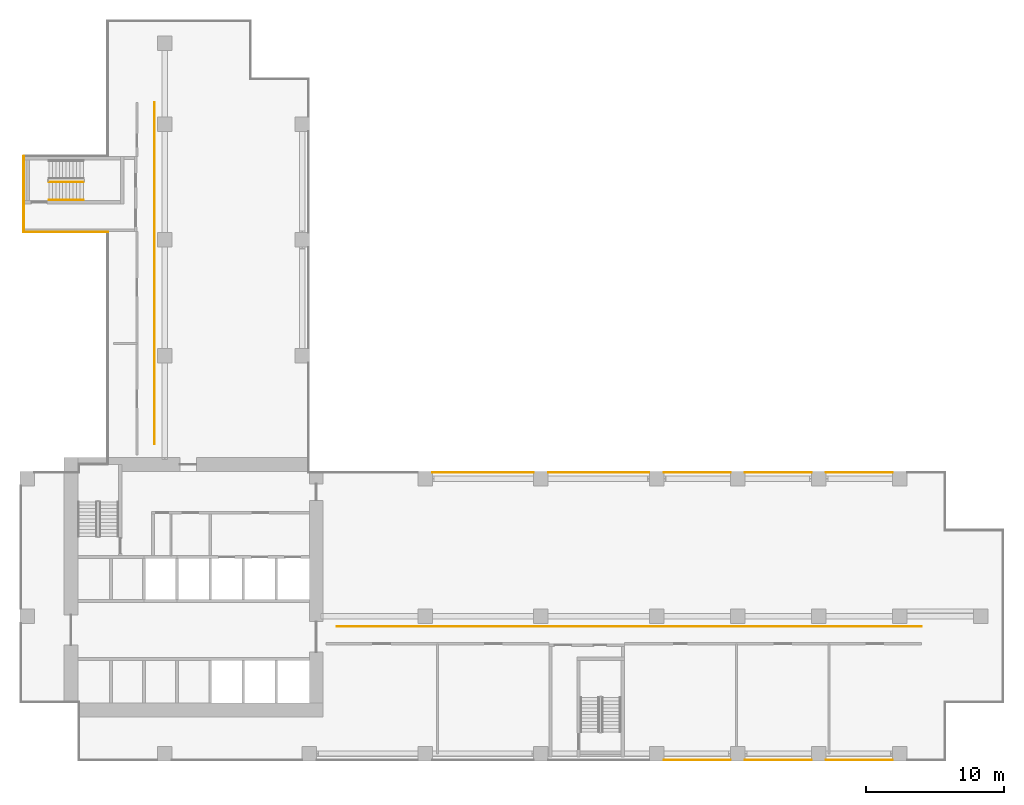
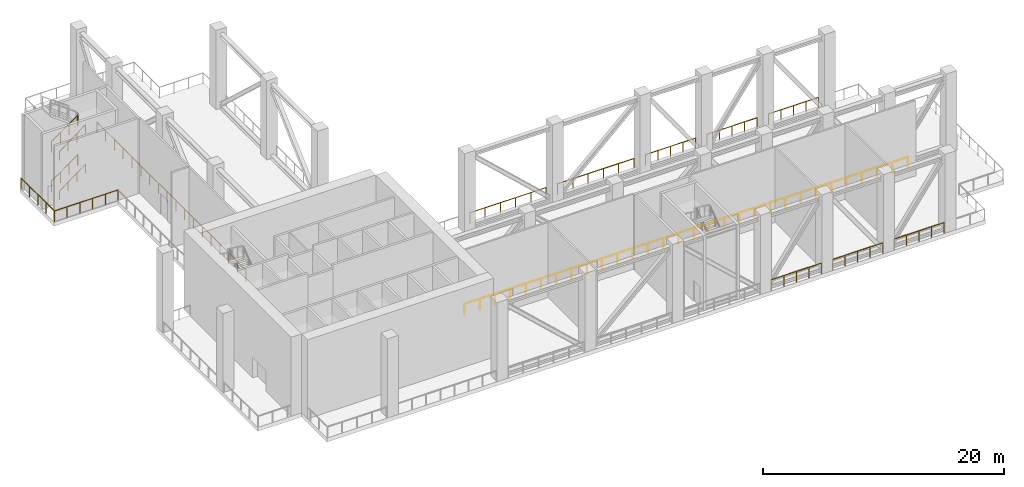
# One storey, part 8 of 10: 16 railings.
"""IFC4 building model written with IfcOpenShell, lengths in metres."""

from ifc_helpers import new_model, si_unit, direction, frame, origin, origin_2d, place, context, subcontext, project, spatial, circle, extrude, source, transform, mapped, material, type_object, element, save


model = new_model("IFC4")

# Units and contexts
model_context = context("Model", 3, precision=1e-05, world=origin(), true_north=direction((0.0, 1.0)))
body_context = subcontext(model_context, "Body", "Model", "MODEL_VIEW")
ifc_project = project(units=[si_unit("LENGTHUNIT", "METRE"), si_unit("AREAUNIT", "SQUARE_METRE"), si_unit("VOLUMEUNIT", "CUBIC_METRE"), si_unit("PLANEANGLEUNIT", "RADIAN"), si_unit("MASSUNIT", "GRAM", prefix="KILO")], contexts=[model_context])

# Site, building, storey
site_placement = place(None, origin())
site = spatial("IfcSite", under=ifc_project, at=site_placement, CompositionType="ELEMENT")
building_placement = place(site_placement, origin())
building = spatial("IfcBuilding", under=site, at=building_placement, Name="Aurelian Terraces", CompositionType="ELEMENT")
storey_placement = place(building_placement, frame((0.0, 0.0, 162.3)))
storey = spatial("IfcBuildingStorey", under=building, at=storey_placement, Name="L36", CompositionType="ELEMENT", Elevation=162.3)

# Railings
ifc_material_1 = material(Name="Anodised aluminium", Category="aluminium")
railing_type_1 = type_object("IfcRailingType", Name="GUARD-1100", PredefinedType="GUARDRAIL", material=ifc_material_1)
railing_1_placement = place(storey_placement, frame((63.295, 0.07, 0.0)))
element("IfcRailing", 1, at=railing_1_placement, inside=storey, type_object=railing_type_1, Name="Wind floor guard L36 6", PredefinedType="GUARDRAIL", context=body_context, shape_type="SweptSolid", body=[
    extrude(circle(Radius=0.024, at=origin_2d()), frame((0.0, 0.0, 1.076), z_axis=(-1.0, 0.0, 0.0), x_axis=(0.0, -1.0, 0.0)), (0.0, 0.0, 1.0), 4.79),
    extrude(circle(Radius=0.021, at=origin_2d()), origin(), (0.0, 0.0, 1.0), 1.052),
    extrude(circle(Radius=0.021, at=origin_2d()), frame((-1.1975, 0.0, 0.0)), (0.0, 0.0, 1.0), 1.052),
    extrude(circle(Radius=0.021, at=origin_2d()), frame((-2.395, 0.0, 0.0)), (0.0, 0.0, 1.0), 1.052),
    extrude(circle(Radius=0.021, at=origin_2d()), frame((-3.5925, 0.0, 0.0)), (0.0, 0.0, 1.0), 1.052),
    extrude(circle(Radius=0.021, at=origin_2d()), frame((-4.79, 0.0, 0.0)), (0.0, 0.0, 1.0), 1.052),
])
railing_2_placement = place(storey_placement, frame((6.37, 38.37, 0.0)))
element("IfcRailing", 2, at=railing_2_placement, inside=storey, type_object=railing_type_1, Name="Wind floor guard L36 22", PredefinedType="GUARDRAIL", context=body_context, shape_type="SweptSolid", body=[
    extrude(circle(Radius=0.024, at=origin_2d()), frame((0.0, 0.0, 1.076), z_axis=(-1.0, 0.0, 0.0), x_axis=(0.0, -1.0, 0.0)), (0.0, 0.0, 1.0), 6.1),
    extrude(circle(Radius=0.021, at=origin_2d()), origin(), (0.0, 0.0, 1.0), 1.052),
    extrude(circle(Radius=0.021, at=origin_2d()), frame((-1.22, 0.0, 0.0)), (0.0, 0.0, 1.0), 1.052),
    extrude(circle(Radius=0.021, at=origin_2d()), frame((-2.44, 0.0, 0.0)), (0.0, 0.0, 1.0), 1.052),
    extrude(circle(Radius=0.021, at=origin_2d()), frame((-3.66, 0.0, 0.0)), (0.0, 0.0, 1.0), 1.052),
    extrude(circle(Radius=0.021, at=origin_2d()), frame((-4.88, 0.0, 0.0)), (0.0, 0.0, 1.0), 1.052),
    extrude(circle(Radius=0.021, at=origin_2d()), frame((-6.1, 0.0, 0.0)), (0.0, 0.0, 1.0), 1.052),
])
railing_3_placement = place(storey_placement, frame((0.27, 38.37, 0.0)))
element("IfcRailing", 3, at=railing_3_placement, inside=storey, type_object=railing_type_1, Name="Wind floor guard L36 23", PredefinedType="GUARDRAIL", context=body_context, shape_type="SweptSolid", body=[
    extrude(circle(Radius=0.024, at=origin_2d()), frame((0.0, 0.0, 1.076), z_axis=(0.0, 1.0, 0.0), x_axis=(-1.0, 0.0, 0.0)), (0.0, 0.0, 1.0), 5.51),
    extrude(circle(Radius=0.021, at=origin_2d()), origin(), (0.0, 0.0, 1.0), 1.052),
    extrude(circle(Radius=0.021, at=origin_2d()), frame((0.0, 1.3775, 0.0)), (0.0, 0.0, 1.0), 1.052),
    extrude(circle(Radius=0.021, at=origin_2d()), frame((0.0, 2.755, 0.0)), (0.0, 0.0, 1.0), 1.052),
    extrude(circle(Radius=0.021, at=origin_2d()), frame((0.0, 4.1325, 0.0)), (0.0, 0.0, 1.0), 1.052),
    extrude(circle(Radius=0.021, at=origin_2d()), frame((0.0, 5.51, 0.0)), (0.0, 0.0, 1.0), 1.052),
])
railing_4_placement = place(storey_placement, frame((29.945, 20.93, 0.0)))
element("IfcRailing", 4, at=railing_4_placement, inside=storey, type_object=railing_type_1, Name="Wind floor guard L36 34", PredefinedType="GUARDRAIL", context=body_context, shape_type="SweptSolid", body=[
    extrude(circle(Radius=0.024, at=origin_2d()), frame((0.0, 0.0, 1.076), z_axis=(1.0, 0.0, 0.0), x_axis=(0.0, 1.0, 0.0)), (0.0, 0.0, 1.0), 7.31),
    extrude(circle(Radius=0.021, at=origin_2d()), origin(), (0.0, 0.0, 1.0), 1.052),
    extrude(circle(Radius=0.021, at=origin_2d()), frame((1.462, 0.0, 0.0)), (0.0, 0.0, 1.0), 1.052),
    extrude(circle(Radius=0.021, at=origin_2d()), frame((2.924, 0.0, 0.0)), (0.0, 0.0, 1.0), 1.052),
    extrude(circle(Radius=0.021, at=origin_2d()), frame((4.386, 0.0, 0.0)), (0.0, 0.0, 1.0), 1.052),
    extrude(circle(Radius=0.021, at=origin_2d()), frame((5.848, 0.0, 0.0)), (0.0, 0.0, 1.0), 1.052),
    extrude(circle(Radius=0.021, at=origin_2d()), frame((7.31, 0.0, 0.0)), (0.0, 0.0, 1.0), 1.052),
])
railing_5_placement = place(storey_placement, frame((46.745, 20.93, 0.0)))
element("IfcRailing", 5, at=railing_5_placement, inside=storey, type_object=railing_type_1, Name="Wind floor guard L36 36", PredefinedType="GUARDRAIL", context=body_context, shape_type="SweptSolid", body=[
    extrude(circle(Radius=0.024, at=origin_2d()), frame((0.0, 0.0, 1.076), z_axis=(1.0, 0.0, 0.0), x_axis=(0.0, 1.0, 0.0)), (0.0, 0.0, 1.0), 4.79),
    extrude(circle(Radius=0.021, at=origin_2d()), origin(), (0.0, 0.0, 1.0), 1.052),
    extrude(circle(Radius=0.021, at=origin_2d()), frame((1.1975, 0.0, 0.0)), (0.0, 0.0, 1.0), 1.052),
    extrude(circle(Radius=0.021, at=origin_2d()), frame((2.395, 0.0, 0.0)), (0.0, 0.0, 1.0), 1.052),
    extrude(circle(Radius=0.021, at=origin_2d()), frame((3.5925, 0.0, 0.0)), (0.0, 0.0, 1.0), 1.052),
    extrude(circle(Radius=0.021, at=origin_2d()), frame((4.79, 0.0, 0.0)), (0.0, 0.0, 1.0), 1.052),
])
railing_6_placement = place(storey_placement, frame((23.0, 9.75, 0.0)))
element("IfcRailing", 6, at=railing_6_placement, inside=storey, type_object=railing_type_1, Name="Plant corridor guard L36 1", PredefinedType="GUARDRAIL", context=body_context, shape_type="SweptSolid", body=[
    extrude(circle(Radius=0.024, at=origin_2d()), frame((0.0, 0.0, 1.076), z_axis=(1.0, 0.0, 0.0), x_axis=(0.0, 1.0, 0.0)), (0.0, 0.0, 1.0), 42.4),
    extrude(circle(Radius=0.021, at=origin_2d()), origin(), (0.0, 0.0, 1.0), 1.052),
    extrude(circle(Radius=0.021, at=origin_2d()), frame((1.4621, 0.0, 0.0)), (0.0, 0.0, 1.0), 1.052),
    extrude(circle(Radius=0.021, at=origin_2d()), frame((2.9241, 0.0, 0.0)), (0.0, 0.0, 1.0), 1.052),
    extrude(circle(Radius=0.021, at=origin_2d()), frame((4.3862, 0.0, 0.0)), (0.0, 0.0, 1.0), 1.052),
    extrude(circle(Radius=0.021, at=origin_2d()), frame((5.8483, 0.0, 0.0)), (0.0, 0.0, 1.0), 1.052),
    extrude(circle(Radius=0.021, at=origin_2d()), frame((7.3103, 0.0, 0.0)), (0.0, 0.0, 1.0), 1.052),
    extrude(circle(Radius=0.021, at=origin_2d()), frame((8.7724, 0.0, 0.0)), (0.0, 0.0, 1.0), 1.052),
    extrude(circle(Radius=0.021, at=origin_2d()), frame((10.2345, 0.0, 0.0)), (0.0, 0.0, 1.0), 1.052),
    extrude(circle(Radius=0.021, at=origin_2d()), frame((11.6966, 0.0, 0.0)), (0.0, 0.0, 1.0), 1.052),
    extrude(circle(Radius=0.021, at=origin_2d()), frame((13.1586, 0.0, 0.0)), (0.0, 0.0, 1.0), 1.052),
    extrude(circle(Radius=0.021, at=origin_2d()), frame((14.6207, 0.0, 0.0)), (0.0, 0.0, 1.0), 1.052),
    extrude(circle(Radius=0.021, at=origin_2d()), frame((16.0828, 0.0, 0.0)), (0.0, 0.0, 1.0), 1.052),
    extrude(circle(Radius=0.021, at=origin_2d()), frame((17.5448, 0.0, 0.0)), (0.0, 0.0, 1.0), 1.052),
    extrude(circle(Radius=0.021, at=origin_2d()), frame((19.0069, 0.0, 0.0)), (0.0, 0.0, 1.0), 1.052),
    extrude(circle(Radius=0.021, at=origin_2d()), frame((20.469, 0.0, 0.0)), (0.0, 0.0, 1.0), 1.052),
    extrude(circle(Radius=0.021, at=origin_2d()), frame((21.931, 0.0, 0.0)), (0.0, 0.0, 1.0), 1.052),
    extrude(circle(Radius=0.021, at=origin_2d()), frame((23.3931, 0.0, 0.0)), (0.0, 0.0, 1.0), 1.052),
    extrude(circle(Radius=0.021, at=origin_2d()), frame((24.8552, 0.0, 0.0)), (0.0, 0.0, 1.0), 1.052),
    extrude(circle(Radius=0.021, at=origin_2d()), frame((26.3172, 0.0, 0.0)), (0.0, 0.0, 1.0), 1.052),
    extrude(circle(Radius=0.021, at=origin_2d()), frame((27.7793, 0.0, 0.0)), (0.0, 0.0, 1.0), 1.052),
    extrude(circle(Radius=0.021, at=origin_2d()), frame((29.2414, 0.0, 0.0)), (0.0, 0.0, 1.0), 1.052),
    extrude(circle(Radius=0.021, at=origin_2d()), frame((30.7034, 0.0, 0.0)), (0.0, 0.0, 1.0), 1.052),
    extrude(circle(Radius=0.021, at=origin_2d()), frame((32.1655, 0.0, 0.0)), (0.0, 0.0, 1.0), 1.052),
    extrude(circle(Radius=0.021, at=origin_2d()), frame((33.6276, 0.0, 0.0)), (0.0, 0.0, 1.0), 1.052),
    extrude(circle(Radius=0.021, at=origin_2d()), frame((35.0897, 0.0, 0.0)), (0.0, 0.0, 1.0), 1.052),
    extrude(circle(Radius=0.021, at=origin_2d()), frame((36.5517, 0.0, 0.0)), (0.0, 0.0, 1.0), 1.052),
    extrude(circle(Radius=0.021, at=origin_2d()), frame((38.0138, 0.0, 0.0)), (0.0, 0.0, 1.0), 1.052),
    extrude(circle(Radius=0.021, at=origin_2d()), frame((39.4759, 0.0, 0.0)), (0.0, 0.0, 1.0), 1.052),
    extrude(circle(Radius=0.021, at=origin_2d()), frame((40.9379, 0.0, 0.0)), (0.0, 0.0, 1.0), 1.052),
    extrude(circle(Radius=0.021, at=origin_2d()), frame((42.4, 0.0, 0.0)), (0.0, 0.0, 1.0), 1.052),
])
railing_7_placement = place(storey_placement, frame((9.75, 23.0, 0.0)))
element("IfcRailing", 7, at=railing_7_placement, inside=storey, type_object=railing_type_1, Name="Plant corridor guard L36 2", PredefinedType="GUARDRAIL", context=body_context, shape_type="SweptSolid", body=[
    extrude(circle(Radius=0.024, at=origin_2d()), frame((0.0, 0.0, 1.076), z_axis=(0.0, 1.0, 0.0), x_axis=(-1.0, 0.0, 0.0)), (0.0, 0.0, 1.0), 24.76),
    extrude(circle(Radius=0.021, at=origin_2d()), origin(), (0.0, 0.0, 1.0), 1.052),
    extrude(circle(Radius=0.021, at=origin_2d()), frame((0.0, 1.4565, 0.0)), (0.0, 0.0, 1.0), 1.052),
    extrude(circle(Radius=0.021, at=origin_2d()), frame((0.0, 2.9129, 0.0)), (0.0, 0.0, 1.0), 1.052),
    extrude(circle(Radius=0.021, at=origin_2d()), frame((0.0, 4.3694, 0.0)), (0.0, 0.0, 1.0), 1.052),
    extrude(circle(Radius=0.021, at=origin_2d()), frame((0.0, 5.8259, 0.0)), (0.0, 0.0, 1.0), 1.052),
    extrude(circle(Radius=0.021, at=origin_2d()), frame((0.0, 7.2824, 0.0)), (0.0, 0.0, 1.0), 1.052),
    extrude(circle(Radius=0.021, at=origin_2d()), frame((0.0, 8.7388, 0.0)), (0.0, 0.0, 1.0), 1.052),
    extrude(circle(Radius=0.021, at=origin_2d()), frame((0.0, 10.1953, 0.0)), (0.0, 0.0, 1.0), 1.052),
    extrude(circle(Radius=0.021, at=origin_2d()), frame((0.0, 11.6518, 0.0)), (0.0, 0.0, 1.0), 1.052),
    extrude(circle(Radius=0.021, at=origin_2d()), frame((0.0, 13.1082, 0.0)), (0.0, 0.0, 1.0), 1.052),
    extrude(circle(Radius=0.021, at=origin_2d()), frame((0.0, 14.5647, 0.0)), (0.0, 0.0, 1.0), 1.052),
    extrude(circle(Radius=0.021, at=origin_2d()), frame((0.0, 16.0212, 0.0)), (0.0, 0.0, 1.0), 1.052),
    extrude(circle(Radius=0.021, at=origin_2d()), frame((0.0, 17.4776, 0.0)), (0.0, 0.0, 1.0), 1.052),
    extrude(circle(Radius=0.021, at=origin_2d()), frame((0.0, 18.9341, 0.0)), (0.0, 0.0, 1.0), 1.052),
    extrude(circle(Radius=0.021, at=origin_2d()), frame((0.0, 20.3906, 0.0)), (0.0, 0.0, 1.0), 1.052),
    extrude(circle(Radius=0.021, at=origin_2d()), frame((0.0, 21.8471, 0.0)), (0.0, 0.0, 1.0), 1.052),
    extrude(circle(Radius=0.021, at=origin_2d()), frame((0.0, 23.3035, 0.0)), (0.0, 0.0, 1.0), 1.052),
    extrude(circle(Radius=0.021, at=origin_2d()), frame((0.0, 24.76, 0.0)), (0.0, 0.0, 1.0), 1.052),
])
ifc_material_2 = material(Name="Stainless steel", Category="steel")
railing_type_2 = type_object("IfcRailingType", Name="Stair guard 1100", PredefinedType="GUARDRAIL", material=ifc_material_2)
railing_8_placement = place(storey_placement, frame((2.1, 42.0, 0.1818)))
element("IfcRailing", 8, at=railing_8_placement, inside=storey, type_object=railing_type_2, Name="L36 S3 stair guard 1", PredefinedType="GUARDRAIL", context=body_context, shape_type="SweptSolid", body=[
    extrude(circle(Radius=0.024, at=origin_2d()), frame((0.0, 0.0, 1.076), z_axis=(0.808733286514, 0.0, 0.588175544616), x_axis=(0.0, 1.0, 0.0)), (0.0, 0.0, 1.0), 3.0913),
    extrude(circle(Radius=0.021, at=origin_2d()), origin(), (0.0, 0.0, 1.0), 1.052),
    extrude(circle(Radius=0.021, at=origin_2d()), frame((0.8333, 0.0, 0.6061)), (0.0, 0.0, 1.0), 1.052),
    extrude(circle(Radius=0.021, at=origin_2d()), frame((1.6667, 0.0, 1.2121)), (0.0, 0.0, 1.0), 1.052),
    extrude(circle(Radius=0.021, at=origin_2d()), frame((2.5, 0.0, 1.8182)), (0.0, 0.0, 1.0), 1.052),
])
railing_type_3 = type_object("IfcRailingType", Name="Stair handrail", PredefinedType="HANDRAIL", material=ifc_material_2)
railing_9_placement = place(storey_placement, frame((2.1, 40.7, 0.1818)))
element("IfcRailing", 9, at=railing_9_placement, inside=storey, type_object=railing_type_3, Name="L36 S3 stair handrail 1", PredefinedType="HANDRAIL", context=body_context, shape_type="SweptSolid", body=[
    extrude(circle(Radius=0.024, at=origin_2d()), frame((0.0, 0.0, 0.876), z_axis=(0.808733286514, 0.0, 0.588175544616), x_axis=(0.0, 1.0, 0.0)), (0.0, 0.0, 1.0), 3.0913),
    extrude(circle(Radius=0.021, at=origin_2d()), origin(), (0.0, 0.0, 1.0), 0.852),
    extrude(circle(Radius=0.021, at=origin_2d()), frame((0.8333, 0.0, 0.6061)), (0.0, 0.0, 1.0), 0.852),
    extrude(circle(Radius=0.021, at=origin_2d()), frame((1.6667, 0.0, 1.2121)), (0.0, 0.0, 1.0), 0.852),
    extrude(circle(Radius=0.021, at=origin_2d()), frame((2.5, 0.0, 1.8182)), (0.0, 0.0, 1.0), 0.852),
])
shared_shape_1 = source(origin(), body_context, "Body", "SweptSolid", [
    extrude(circle(Radius=0.024, at=origin_2d()), frame((0.0, 0.0, 1.076), z_axis=(-1.0, 0.0, 0.0), x_axis=(0.0, -1.0, 0.0)), (0.0, 0.0, 1.0), 4.79),
    extrude(circle(Radius=0.021, at=origin_2d()), origin(), (0.0, 0.0, 1.0), 1.052),
    extrude(circle(Radius=0.021, at=origin_2d()), frame((-1.1975, 0.0, 0.0)), (0.0, 0.0, 1.0), 1.052),
    extrude(circle(Radius=0.021, at=origin_2d()), frame((-2.395, 0.0, 0.0)), (0.0, 0.0, 1.0), 1.052),
    extrude(circle(Radius=0.021, at=origin_2d()), frame((-3.5925, 0.0, 0.0)), (0.0, 0.0, 1.0), 1.052),
    extrude(circle(Radius=0.021, at=origin_2d()), frame((-4.79, 0.0, 0.0)), (0.0, 0.0, 1.0), 1.052),
])
for number, where, name in (
    (10, (57.415, 0.07, 0.0), "Wind floor guard L36 7"),
    (11, (51.535, 0.07, 0.0), "Wind floor guard L36 8"),
):
    element("IfcRailing", number, at=place(storey_placement, frame(where)), inside=storey, type_object=railing_type_1, Name=name, PredefinedType="GUARDRAIL", context=body_context, shape_type="MappedRepresentation", body=[
        mapped(shared_shape_1, transform((0.0, 0.0, 0.0), scale=1.0)),
    ])
shared_shape_2 = source(origin(), body_context, "Body", "SweptSolid", [
    extrude(circle(Radius=0.024, at=origin_2d()), frame((0.0, 0.0, 1.076), z_axis=(1.0, 0.0, 0.0), x_axis=(0.0, 1.0, 0.0)), (0.0, 0.0, 1.0), 7.31),
    extrude(circle(Radius=0.021, at=origin_2d()), origin(), (0.0, 0.0, 1.0), 1.052),
    extrude(circle(Radius=0.021, at=origin_2d()), frame((1.462, 0.0, 0.0)), (0.0, 0.0, 1.0), 1.052),
    extrude(circle(Radius=0.021, at=origin_2d()), frame((2.924, 0.0, 0.0)), (0.0, 0.0, 1.0), 1.052),
    extrude(circle(Radius=0.021, at=origin_2d()), frame((4.386, 0.0, 0.0)), (0.0, 0.0, 1.0), 1.052),
    extrude(circle(Radius=0.021, at=origin_2d()), frame((5.848, 0.0, 0.0)), (0.0, 0.0, 1.0), 1.052),
    extrude(circle(Radius=0.021, at=origin_2d()), frame((7.31, 0.0, 0.0)), (0.0, 0.0, 1.0), 1.052),
])
railing_10_placement = place(storey_placement, frame((38.345, 20.93, 0.0)))
element("IfcRailing", 12, at=railing_10_placement, inside=storey, type_object=railing_type_1, Name="Wind floor guard L36 35", PredefinedType="GUARDRAIL", context=body_context, shape_type="MappedRepresentation", body=[
    mapped(shared_shape_2, transform((0.0, 0.0, 0.0), scale=1.0)),
])
shared_shape_3 = source(origin(), body_context, "Body", "SweptSolid", [
    extrude(circle(Radius=0.024, at=origin_2d()), frame((0.0, 0.0, 1.076), z_axis=(1.0, 0.0, 0.0), x_axis=(0.0, 1.0, 0.0)), (0.0, 0.0, 1.0), 4.79),
    extrude(circle(Radius=0.021, at=origin_2d()), origin(), (0.0, 0.0, 1.0), 1.052),
    extrude(circle(Radius=0.021, at=origin_2d()), frame((1.1975, 0.0, 0.0)), (0.0, 0.0, 1.0), 1.052),
    extrude(circle(Radius=0.021, at=origin_2d()), frame((2.395, 0.0, 0.0)), (0.0, 0.0, 1.0), 1.052),
    extrude(circle(Radius=0.021, at=origin_2d()), frame((3.5925, 0.0, 0.0)), (0.0, 0.0, 1.0), 1.052),
    extrude(circle(Radius=0.021, at=origin_2d()), frame((4.79, 0.0, 0.0)), (0.0, 0.0, 1.0), 1.052),
])
for number, where, name in (
    (13, (52.625, 20.93, 0.0), "Wind floor guard L36 37"),
    (14, (58.505, 20.93, 0.0), "Wind floor guard L36 38"),
):
    element("IfcRailing", number, at=place(storey_placement, frame(where)), inside=storey, type_object=railing_type_1, Name=name, PredefinedType="GUARDRAIL", context=body_context, shape_type="MappedRepresentation", body=[
        mapped(shared_shape_3, transform((0.0, 0.0, 0.0), scale=1.0)),
    ])
shared_shape_4 = source(origin(), body_context, "Body", "SweptSolid", [
    extrude(circle(Radius=0.024, at=origin_2d()), frame((0.0, 0.0, 1.076), z_axis=(0.808733286514, 0.0, 0.588175544616), x_axis=(0.0, 1.0, 0.0)), (0.0, 0.0, 1.0), 3.0913),
    extrude(circle(Radius=0.021, at=origin_2d()), origin(), (0.0, 0.0, 1.0), 1.052),
    extrude(circle(Radius=0.021, at=origin_2d()), frame((0.8333, 0.0, 0.6061)), (0.0, 0.0, 1.0), 1.052),
    extrude(circle(Radius=0.021, at=origin_2d()), frame((1.6667, 0.0, 1.2121)), (0.0, 0.0, 1.0), 1.052),
    extrude(circle(Radius=0.021, at=origin_2d()), frame((2.5, 0.0, 1.8182)), (0.0, 0.0, 1.0), 1.052),
])
railing_11_placement = place(storey_placement, frame((2.1, 42.0, 4.1818)))
element("IfcRailing", 15, at=railing_11_placement, inside=storey, type_object=railing_type_2, Name="L36 S3 stair guard 5", PredefinedType="GUARDRAIL", context=body_context, shape_type="MappedRepresentation", body=[
    mapped(shared_shape_4, transform((0.0, 0.0, 0.0), scale=1.0)),
])
shared_shape_5 = source(origin(), body_context, "Body", "SweptSolid", [
    extrude(circle(Radius=0.024, at=origin_2d()), frame((0.0, 0.0, 0.876), z_axis=(0.808733286514, 0.0, 0.588175544616), x_axis=(0.0, 1.0, 0.0)), (0.0, 0.0, 1.0), 3.0913),
    extrude(circle(Radius=0.021, at=origin_2d()), origin(), (0.0, 0.0, 1.0), 0.852),
    extrude(circle(Radius=0.021, at=origin_2d()), frame((0.8333, 0.0, 0.6061)), (0.0, 0.0, 1.0), 0.852),
    extrude(circle(Radius=0.021, at=origin_2d()), frame((1.6667, 0.0, 1.2121)), (0.0, 0.0, 1.0), 0.852),
    extrude(circle(Radius=0.021, at=origin_2d()), frame((2.5, 0.0, 1.8182)), (0.0, 0.0, 1.0), 0.852),
])
railing_12_placement = place(storey_placement, frame((2.1, 40.7, 4.1818)))
element("IfcRailing", 16, at=railing_12_placement, inside=storey, type_object=railing_type_3, Name="L36 S3 stair handrail 3", PredefinedType="HANDRAIL", context=body_context, shape_type="MappedRepresentation", body=[
    mapped(shared_shape_5, transform((0.0, 0.0, 0.0), scale=1.0)),
])

save(model, "model.ifc")
